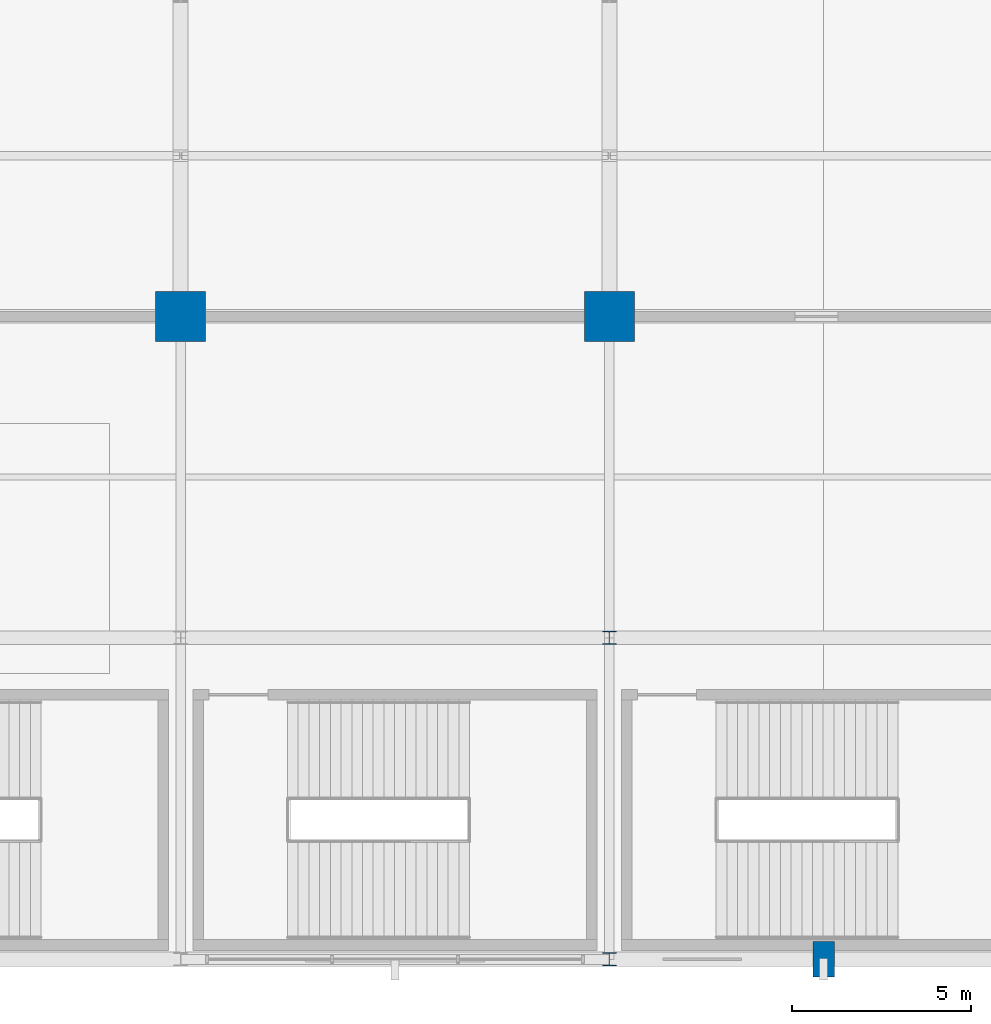
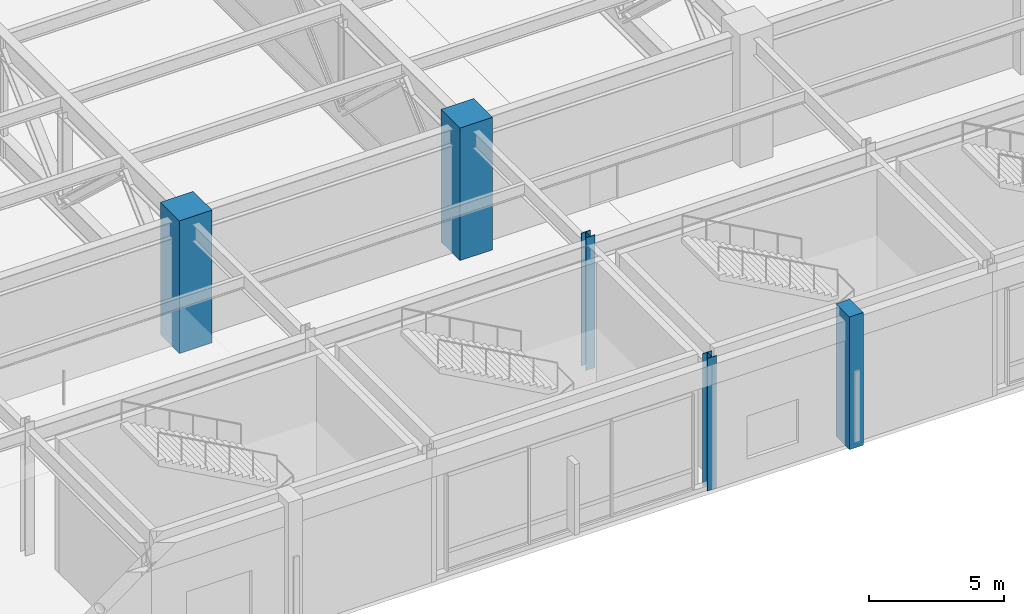
# One storey, part 2 of 108: 5 columns.
"""IFC4 building model written with IfcOpenShell, lengths in metres."""

from ifc_helpers import new_model, si_unit, direction, frame, origin, origin_2d, place, context, subcontext, project, spatial, rectangle, i_section, extrude, material, material_profile, profile_set, type_object, element, save


model = new_model("IFC4")

# Units and contexts
model_context = context("Model", 3, precision=1e-05, world=origin(), true_north=direction((0.0, 1.0)))
body_context = subcontext(model_context, "Body", "Model", "MODEL_VIEW")
ifc_project = project(units=[si_unit("LENGTHUNIT", "METRE"), si_unit("AREAUNIT", "SQUARE_METRE"), si_unit("VOLUMEUNIT", "CUBIC_METRE"), si_unit("PLANEANGLEUNIT", "RADIAN"), si_unit("MASSUNIT", "GRAM", prefix="KILO")], contexts=[model_context])

# Site, building, storey
site_placement = place(None, origin())
site = spatial("IfcSite", under=ifc_project, at=site_placement, CompositionType="ELEMENT")
building_placement = place(site_placement, origin())
building = spatial("IfcBuilding", under=site, at=building_placement, Name="Kaldorvane Square Convention Centre", CompositionType="ELEMENT")
storey_placement = place(building_placement, frame((0.0, 0.0, 12.0)))
storey = spatial("IfcBuildingStorey", under=building, at=storey_placement, Name="L02", CompositionType="ELEMENT", Elevation=12.0)

# Columns
ifc_material_1 = material(Name="Concrete f'c = 55 MPa (Normalweight)", Category="concrete")
ifc_material_profile_1 = material_profile(ifc_material_1, rectangle(XDim=1.399993896484375, YDim=1.399993896484375, at=origin_2d()), Name="RC1400X1400")
ifc_profile_set_1 = profile_set([ifc_material_profile_1], Name="Concrete f'c = 55 MPa (Normalweight)")
column_type_1 = type_object("IfcColumnType", Name="COL-MEGA-1400", PredefinedType="COLUMN", material=ifc_profile_set_1)
for number, where, z_axis, x_axis, name in (
    (1, (42.0, 18.0, 0.0), (0.0, 0.0, 1.0), (1.0, 0.0, 0.0), "Column MC-01 (L02)"),
    (2, (54.0, 18.0, 0.0), (0.0, 0.0, 1.0), (1.0, 0.0, 0.0), "Column MC-01 (L02)"),
):
    element("IfcColumn", number, at=place(storey_placement, frame(where, z_axis=z_axis, x_axis=x_axis)), inside=storey, type_object=column_type_1, Name=name, PredefinedType="COLUMN", context=body_context, shape_type="SweptSolid", body=[
        extrude(rectangle(XDim=1.399993896484375, YDim=1.399993896484375, at=origin_2d()), origin(), (0.0, 0.0, 1.0), 6.0),
    ])
ifc_material_2 = material(Name="Steel ASTM A992 Gr. 50", Category="steel")
ifc_material_profile_2 = material_profile(ifc_material_2, i_section(OverallWidth=0.393707275390625, OverallDepth=0.375396728515625, WebThickness=0.017303466796875, FlangeThickness=0.0276947021484375, FilletRadius=0.0305023193359375, at=origin_2d()), Name="W14X145")
ifc_profile_set_2 = profile_set([ifc_material_profile_2], Name="Steel ASTM A992 Gr. 50")
column_type_2 = type_object("IfcColumnType", Name="COL-STL-145", PredefinedType="COLUMN", material=ifc_profile_set_2)
for number, where, z_axis, x_axis, name in (
    (3, (54.0, 0.0, 0.0), (0.0, 0.0, 1.0), (1.0, 0.0, 0.0), "Column SC-10 (L02)"),
    (4, (54.0, 9.0, 0.0), (0.0, 0.0, 1.0), (1.0, 0.0, 0.0), "Column SC-10 (L02)"),
):
    element("IfcColumn", number, at=place(storey_placement, frame(where, z_axis=z_axis, x_axis=x_axis)), inside=storey, type_object=column_type_2, Name=name, PredefinedType="COLUMN", context=body_context, shape_type="SweptSolid", body=[
        extrude(i_section(OverallWidth=0.393707275390625, OverallDepth=0.375396728515625, WebThickness=0.017303466796875, FlangeThickness=0.0276947021484375, FilletRadius=0.0305023193359375, at=origin_2d()), origin(), (0.0, 0.0, 1.0), 6.0),
    ])
ifc_material_profile_3 = material_profile(ifc_material_1, rectangle(XDim=0.600006103515625, YDim=1.0, at=origin_2d()), Name="PIL1000X600")
ifc_profile_set_3 = profile_set([ifc_material_profile_3], Name="Concrete f'c = 55 MPa (Normalweight)")
column_type_3 = type_object("IfcColumnType", Name="PIL-BRUT-1000", PredefinedType="PILASTER", material=ifc_profile_set_3)
column_placement = place(storey_placement, frame((60.0, 0.0, 0.0), z_axis=(0.0, 0.0, 1.0), x_axis=(1.0, 0.0, 0.0)))
element("IfcColumn", 5, at=column_placement, inside=storey, type_object=column_type_3, Name="Brutalist Colonnade Pilaster (L02)", PredefinedType="PILASTER", context=body_context, shape_type="SweptSolid", body=[
    extrude(rectangle(XDim=0.600006103515625, YDim=1.0, at=origin_2d()), origin(), (0.0, 0.0, 1.0), 6.0),
])

save(model, "model.ifc")
